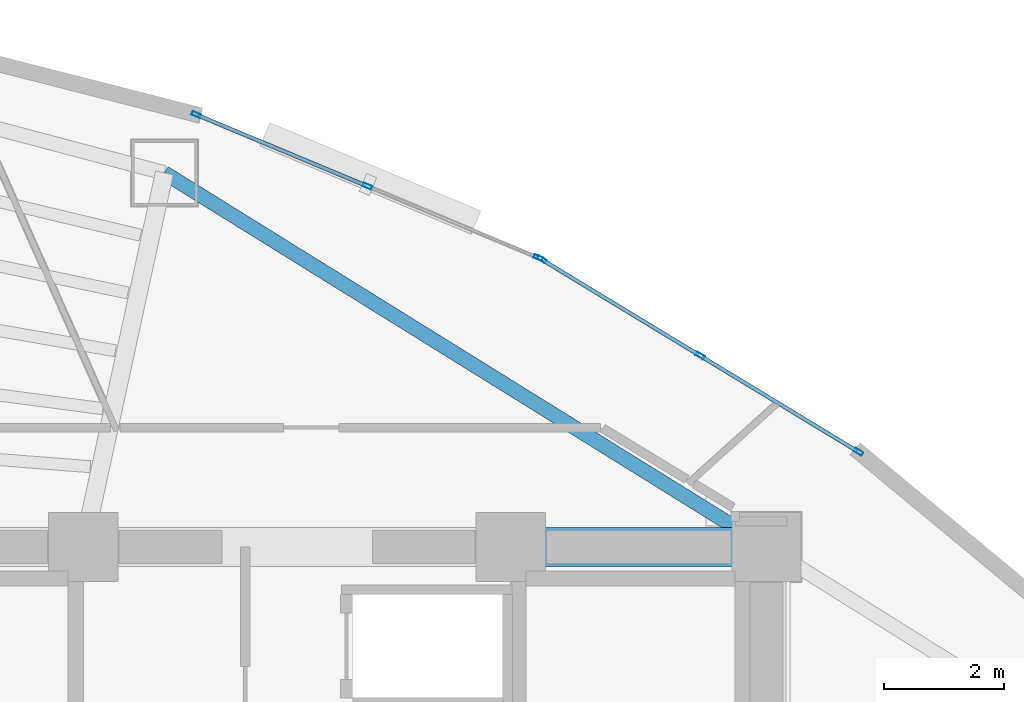
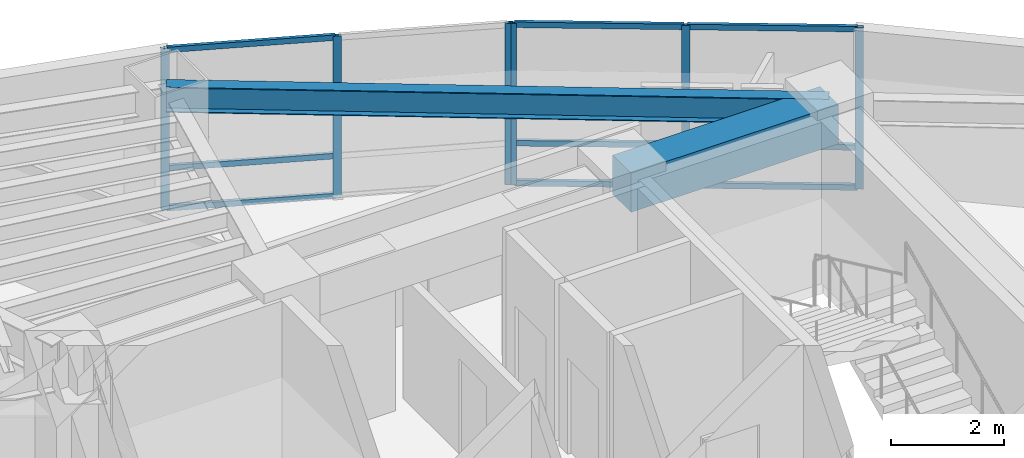
# One storey, part 9 of 15: 15 members, 2 beams, 2 elements without a shape of their own.
"""IFC4 building model written with IfcOpenShell, lengths in metres."""

from ifc_helpers import new_model, si_unit, direction, frame, origin, origin_2d, place, context, subcontext, project, spatial, rectangle, hollow_rectangle, i_section, extrude, material, layer, layer_set, material_profile, profile_set, type_object, element, aggregate, save


model = new_model("IFC4")

# Units and contexts
model_context = context("Model", 3, precision=1e-05, world=origin(), true_north=direction((0.0, 1.0)))
body_context = subcontext(model_context, "Body", "Model", "MODEL_VIEW")
ifc_project = project(units=[si_unit("LENGTHUNIT", "METRE"), si_unit("AREAUNIT", "SQUARE_METRE"), si_unit("VOLUMEUNIT", "CUBIC_METRE"), si_unit("PLANEANGLEUNIT", "RADIAN"), si_unit("MASSUNIT", "GRAM", prefix="KILO")], contexts=[model_context])

# Site, building, storey
site_placement = place(None, origin())
site = spatial("IfcSite", under=ifc_project, at=site_placement, CompositionType="ELEMENT")
building_placement = place(site_placement, origin())
building = spatial("IfcBuilding", under=site, at=building_placement, Name="Menara Vayukalpa", CompositionType="ELEMENT")
storey_placement = place(building_placement, frame((0.0, 0.0, 141.179931640625)))
storey = spatial("IfcBuildingStorey", under=building, at=storey_placement, Name="L35", CompositionType="ELEMENT", Elevation=141.179931640625)

# Beams
ifc_material_1 = material(Name="Concrete C60/75", Category="concrete")
ifc_material_profile_1 = material_profile(ifc_material_1, rectangle(XDim=0.64990234375, YDim=0.85009765625, at=origin_2d()), Name="RC 650x850")
ifc_profile_set_1 = profile_set([ifc_material_profile_1], Name="Concrete C60/75")
beam_type_1 = type_object("IfcBeamType", Name="BM-CB1", PredefinedType="BEAM", material=ifc_profile_set_1)
beam_1_placement = place(storey_placement, frame((29.14990234375, 26.800048828125, 3.074951171875), z_axis=(1.0, 0.0, 0.0), x_axis=(0.0, 1.0, 0.0)))
element("IfcBeam", 1, at=beam_1_placement, inside=storey, type_object=beam_type_1, Name="L35 Core Tie Beam CBR6", PredefinedType="BEAM", context=body_context, shape_type="SweptSolid", body=[
    extrude(rectangle(XDim=0.64990234375, YDim=0.85009765625, at=origin_2d()), origin(), (0.0, 0.0, 1.0), 4.25),
])
ifc_material_2 = material(Name="Steel S355", Category="steel")
ifc_material_profile_2 = material_profile(ifc_material_2, i_section(OverallWidth=0.239990234375, OverallDepth=0.550048828125, WebThickness=0.010986328125, FlangeThickness=0.01904296875, at=origin_2d()), Name="WF 550x240x11x19")
ifc_profile_set_2 = profile_set([ifc_material_profile_2], Name="Steel S355")
beam_type_2 = type_object("IfcBeamType", Name="BM-SP2", PredefinedType="SPANDREL", material=ifc_profile_set_2)
beam_2_placement = place(storey_placement, frame((33.39990234375, 26.800048828125, 3.22509765625), z_axis=(-0.849518408464, 0.527558976495, 0.0), x_axis=(-0.527558976495, -0.849518408464, 0.0)))
element("IfcBeam", 2, at=beam_2_placement, inside=storey, type_object=beam_type_2, Name="L35 Perimeter Spandrel Beam SP02", PredefinedType="SPANDREL", context=body_context, shape_type="SweptSolid", body=[
    extrude(i_section(OverallWidth=0.239990234375, OverallDepth=0.550048828125, WebThickness=0.010986328125, FlangeThickness=0.01904296875, at=origin_2d()), origin(), (0.0, 0.0, 1.0), 11.77490234375),
])

# Curtain wall, members
ifc_material_3 = material(Name="Anodised Terracotta Aluminium Alloy 6063-T6", Category="masonry")
ifc_layer = layer(ifc_material_3, 0.14990234375)
ifc_layer_set = layer_set([ifc_layer], Name="Anodised Terracotta Aluminium Alloy 6063-T6")
curtain_wall_type = type_object("IfcCurtainWallType", Name="CW-CW3", PredefinedType="USERDEFINED", material=ifc_layer_set)
curtain_wall_1_placement = place(storey_placement, origin())
curtain_wall_1 = element("IfcCurtainWall", 3, at=curtain_wall_1_placement, inside=storey, type_object=curtain_wall_type, Name="L35 Mid Rise Terracotta Ribbon Curtain Wall CW3 04", ObjectType="UNITISED", PredefinedType="USERDEFINED")
ifc_material_4 = material(Name="Anodised Terracotta Aluminium Alloy 6063-T6", Category="masonry")
ifc_material_profile_3 = material_profile(ifc_material_4, hollow_rectangle(XDim=0.06494140625, YDim=0.14990234375, WallThickness=0.00341796875, at=origin_2d()), Name="ALU 65x150x3.5")
ifc_profile_set_3 = profile_set([ifc_material_profile_3], Name="Anodised Terracotta Aluminium Alloy 6063-T6")
member_type_1 = type_object("IfcMemberType", Name="CWM-CW3", PredefinedType="MULLION", material=ifc_profile_set_3)
member_1_placement = place(storey_placement, frame((34.927001953125, 28.377197265625, 0.0), z_axis=(0.0, 0.0, 1.0), x_axis=(-0.519195768176, -0.854655342409, 0.0)))
member_1 = element("IfcMember", 4, at=member_1_placement, type_object=member_type_1, Name="CW3 mullion 1", PredefinedType="MULLION", context=body_context, shape_type="SweptSolid", body=[
    extrude(hollow_rectangle(XDim=0.06494140625, YDim=0.14990234375, WallThickness=0.00341796875, at=origin_2d()), origin(), (0.0, 0.0, 1.0), 3.5),
])
member_2_placement = place(storey_placement, frame((32.295654296875, 29.9755859375, 0.0), z_axis=(0.0, 0.0, 1.0), x_axis=(-0.519195768176, -0.854655342409, 0.0)))
member_2 = element("IfcMember", 5, at=member_2_placement, type_object=member_type_1, Name="CW3 mullion 2", PredefinedType="MULLION", context=body_context, shape_type="SweptSolid", body=[
    extrude(hollow_rectangle(XDim=0.06494140625, YDim=0.14990234375, WallThickness=0.00341796875, at=origin_2d()), origin(), (0.0, 0.0, 1.0), 3.5),
])
member_3_placement = place(storey_placement, frame((29.66455078125, 31.57421875, 0.0), z_axis=(0.0, 0.0, 1.0), x_axis=(-0.519195768176, -0.854655342409, 0.0)))
member_3 = element("IfcMember", 6, at=member_3_placement, type_object=member_type_1, Name="CW3 mullion 3", PredefinedType="MULLION", context=body_context, shape_type="SweptSolid", body=[
    extrude(hollow_rectangle(XDim=0.06494140625, YDim=0.14990234375, WallThickness=0.00341796875, at=origin_2d()), origin(), (0.0, 0.0, 1.0), 3.5),
])

curtain_wall_2_placement = place(storey_placement, origin())
curtain_wall_2 = element("IfcCurtainWall", 7, at=curtain_wall_2_placement, inside=storey, type_object=curtain_wall_type, Name="L35 Mid Rise Terracotta Ribbon Curtain Wall CW3 05", ObjectType="UNITISED", PredefinedType="USERDEFINED")
member_4_placement = place(storey_placement, frame((29.606689453125, 31.603515625, 0.0), z_axis=(0.0, 0.0, 1.0), x_axis=(-0.385886210456, -0.922546385056, 0.0)))
member_4 = element("IfcMember", 8, at=member_4_placement, type_object=member_type_1, Name="CW3 mullion 1", PredefinedType="MULLION", context=body_context, shape_type="SweptSolid", body=[
    extrude(hollow_rectangle(XDim=0.06494140625, YDim=0.14990234375, WallThickness=0.00341796875, at=origin_2d()), origin(), (0.0, 0.0, 1.0), 3.5),
])
member_5_placement = place(storey_placement, frame((26.766357421875, 32.79150390625, 0.0), z_axis=(0.0, 0.0, 1.0), x_axis=(-0.385886210456, -0.922546385056, 0.0)))
member_5 = element("IfcMember", 9, at=member_5_placement, type_object=member_type_1, Name="CW3 mullion 2", PredefinedType="MULLION", context=body_context, shape_type="SweptSolid", body=[
    extrude(hollow_rectangle(XDim=0.06494140625, YDim=0.14990234375, WallThickness=0.00341796875, at=origin_2d()), origin(), (0.0, 0.0, 1.0), 3.5),
])
member_6_placement = place(storey_placement, frame((23.926025390625, 33.979736328125, 0.0), z_axis=(0.0, 0.0, 1.0), x_axis=(-0.385886210456, -0.922546385056, 0.0)))
member_6 = element("IfcMember", 10, at=member_6_placement, type_object=member_type_1, Name="CW3 mullion 3", PredefinedType="MULLION", context=body_context, shape_type="SweptSolid", body=[
    extrude(hollow_rectangle(XDim=0.06494140625, YDim=0.14990234375, WallThickness=0.00341796875, at=origin_2d()), origin(), (0.0, 0.0, 1.0), 3.5),
])

# Member
ifc_material_5 = material(Name="Anodised Terracotta Aluminium Alloy 6063-T6", Category="masonry")
ifc_material_profile_4 = material_profile(ifc_material_5, hollow_rectangle(XDim=0.06494140625, YDim=0.1201171875, WallThickness=0.00341796875, at=origin_2d()), Name="ALU 65x120x3.5")
ifc_profile_set_4 = profile_set([ifc_material_profile_4], Name="Anodised Terracotta Aluminium Alloy 6063-T6")
member_type_2 = type_object("IfcMemberType", Name="CWT-CW3", PredefinedType="USERDEFINED", material=ifc_profile_set_4)
member_7_placement = place(storey_placement, frame((34.899169921875, 28.39404296875, 0.032470703125), z_axis=(-0.854656573285, 0.519193742008, 0.0), x_axis=(-0.519193742008, -0.854656573285, 0.0)))
member_7 = element("IfcMember", 11, at=member_7_placement, type_object=member_type_2, Name="CW3 transom 1.1", ObjectType="TRANSOM", PredefinedType="USERDEFINED", context=body_context, shape_type="SweptSolid", body=[
    extrude(hollow_rectangle(XDim=0.06494140625, YDim=0.1201171875, WallThickness=0.00341796875, at=origin_2d()), origin(), (0.0, 0.0, 1.0), 3.013671875),
])

member_8_placement = place(storey_placement, frame((34.899169921875, 28.39404296875, 0.900146484375), z_axis=(-0.854656573285, 0.519193742008, 0.0), x_axis=(-0.519193742008, -0.854656573285, 0.0)))
member_8 = element("IfcMember", 12, at=member_8_placement, type_object=member_type_2, Name="CW3 transom 1.2", ObjectType="TRANSOM", PredefinedType="USERDEFINED", context=body_context, shape_type="SweptSolid", body=[
    extrude(hollow_rectangle(XDim=0.06494140625, YDim=0.1201171875, WallThickness=0.00341796875, at=origin_2d()), origin(), (0.0, 0.0, 1.0), 3.013671875),
])

member_9_placement = place(storey_placement, frame((34.899169921875, 28.39404296875, 3.467529296875), z_axis=(-0.854656573285, 0.519193742008, 0.0), x_axis=(-0.519193742008, -0.854656573285, 0.0)))
member_9 = element("IfcMember", 13, at=member_9_placement, type_object=member_type_2, Name="CW3 transom 1.3", ObjectType="TRANSOM", PredefinedType="USERDEFINED", context=body_context, shape_type="SweptSolid", body=[
    extrude(hollow_rectangle(XDim=0.06494140625, YDim=0.1201171875, WallThickness=0.00341796875, at=origin_2d()), origin(), (0.0, 0.0, 1.0), 3.013671875),
])

member_10_placement = place(storey_placement, frame((32.26806640625, 29.992431640625, 0.032470703125), z_axis=(-0.854642464994, 0.519216965275, 0.0), x_axis=(-0.519216965275, -0.854642464994, 0.0)))
member_10 = element("IfcMember", 14, at=member_10_placement, type_object=member_type_2, Name="CW3 transom 2.1", ObjectType="TRANSOM", PredefinedType="USERDEFINED", context=body_context, shape_type="SweptSolid", body=[
    extrude(hollow_rectangle(XDim=0.06494140625, YDim=0.1201171875, WallThickness=0.00341796875, at=origin_2d()), origin(), (0.0, 0.0, 1.0), 3.01416015625),
])

member_11_placement = place(storey_placement, frame((32.26806640625, 29.992431640625, 0.900146484375), z_axis=(-0.854642464994, 0.519216965275, 0.0), x_axis=(-0.519216965275, -0.854642464994, 0.0)))
member_11 = element("IfcMember", 15, at=member_11_placement, type_object=member_type_2, Name="CW3 transom 2.2", ObjectType="TRANSOM", PredefinedType="USERDEFINED", context=body_context, shape_type="SweptSolid", body=[
    extrude(hollow_rectangle(XDim=0.06494140625, YDim=0.1201171875, WallThickness=0.00341796875, at=origin_2d()), origin(), (0.0, 0.0, 1.0), 3.01416015625),
])

member_12_placement = place(storey_placement, frame((32.26806640625, 29.992431640625, 3.467529296875), z_axis=(-0.854642464994, 0.519216965275, 0.0), x_axis=(-0.519216965275, -0.854642464994, 0.0)))
member_12 = element("IfcMember", 16, at=member_12_placement, type_object=member_type_2, Name="CW3 transom 2.3", ObjectType="TRANSOM", PredefinedType="USERDEFINED", context=body_context, shape_type="SweptSolid", body=[
    extrude(hollow_rectangle(XDim=0.06494140625, YDim=0.1201171875, WallThickness=0.00341796875, at=origin_2d()), origin(), (0.0, 0.0, 1.0), 3.01416015625),
])

aggregate(curtain_wall_1, [member_1, member_2, member_3, member_7, member_8, member_9, member_10, member_11, member_12])

member_13_placement = place(storey_placement, frame((26.736328125, 32.80419921875, 0.032470703125), z_axis=(-0.922558380554, 0.385857531312, 0.0), x_axis=(-0.385857531312, -0.922558380554, 0.0)))
member_13 = element("IfcMember", 17, at=member_13_placement, type_object=member_type_2, Name="CW3 transom 2.1", ObjectType="TRANSOM", PredefinedType="USERDEFINED", context=body_context, shape_type="SweptSolid", body=[
    extrude(hollow_rectangle(XDim=0.06494140625, YDim=0.1201171875, WallThickness=0.00341796875, at=origin_2d()), origin(), (0.0, 0.0, 1.0), 3.013671875),
])

member_14_placement = place(storey_placement, frame((26.736328125, 32.80419921875, 0.900146484375), z_axis=(-0.922558380554, 0.385857531312, 0.0), x_axis=(-0.385857531312, -0.922558380554, 0.0)))
member_14 = element("IfcMember", 18, at=member_14_placement, type_object=member_type_2, Name="CW3 transom 2.2", ObjectType="TRANSOM", PredefinedType="USERDEFINED", context=body_context, shape_type="SweptSolid", body=[
    extrude(hollow_rectangle(XDim=0.06494140625, YDim=0.1201171875, WallThickness=0.00341796875, at=origin_2d()), origin(), (0.0, 0.0, 1.0), 3.013671875),
])

member_15_placement = place(storey_placement, frame((26.736328125, 32.80419921875, 3.467529296875), z_axis=(-0.922558380554, 0.385857531312, 0.0), x_axis=(-0.385857531312, -0.922558380554, 0.0)))
member_15 = element("IfcMember", 19, at=member_15_placement, type_object=member_type_2, Name="CW3 transom 2.3", ObjectType="TRANSOM", PredefinedType="USERDEFINED", context=body_context, shape_type="SweptSolid", body=[
    extrude(hollow_rectangle(XDim=0.06494140625, YDim=0.1201171875, WallThickness=0.00341796875, at=origin_2d()), origin(), (0.0, 0.0, 1.0), 3.013671875),
])

aggregate(curtain_wall_2, [member_4, member_5, member_6, member_13, member_14, member_15])

save(model, "model.ifc")
